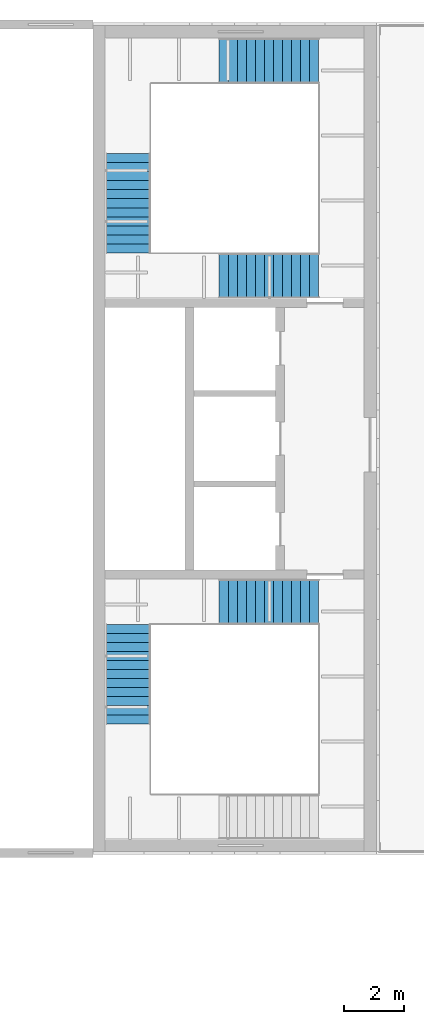
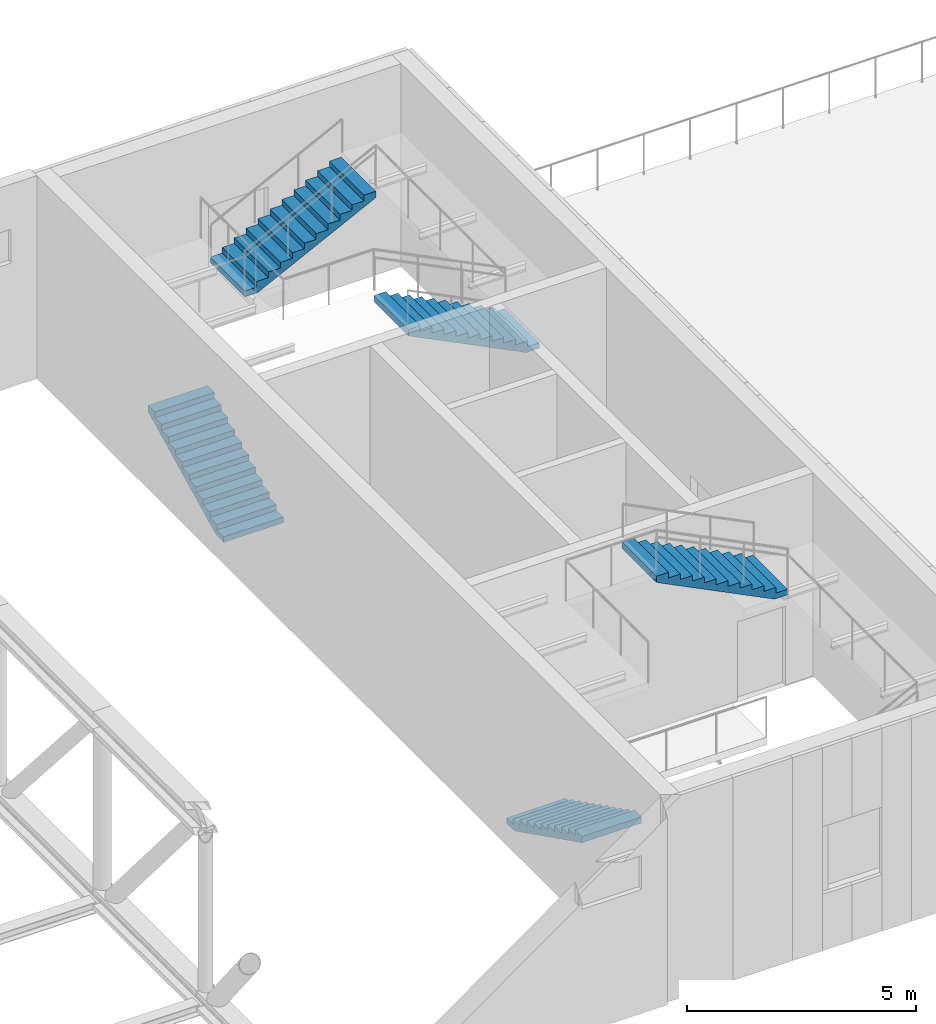
# One storey, part 23 of 29: 5 stair flights, 2 elements without a shape of their own.
"""IFC4 building model written with IfcOpenShell, lengths in metres."""

from ifc_helpers import new_model, si_unit, direction, frame, origin, place, context, subcontext, project, spatial, polyline, outline, extrude, material, type_object, element, aggregate, save


model = new_model("IFC4")

# Units and contexts
model_context = context("Model", 3, precision=1e-05, world=origin(), true_north=direction((0.0, 1.0)))
body_context = subcontext(model_context, "Body", "Model", "MODEL_VIEW")
ifc_project = project(units=[si_unit("LENGTHUNIT", "METRE"), si_unit("AREAUNIT", "SQUARE_METRE"), si_unit("VOLUMEUNIT", "CUBIC_METRE"), si_unit("PLANEANGLEUNIT", "RADIAN"), si_unit("MASSUNIT", "GRAM", prefix="KILO")], contexts=[model_context])

# Site, building, storey
site_placement = place(None, origin())
site = spatial("IfcSite", under=ifc_project, at=site_placement, CompositionType="ELEMENT")
building_placement = place(site_placement, origin())
building = spatial("IfcBuilding", under=site, at=building_placement, Name="Azimuth Sports and Learning Centre", CompositionType="ELEMENT")
storey_placement = place(building_placement, frame((0.0, 0.0, 27.0)))
storey = spatial("IfcBuildingStorey", under=building, at=storey_placement, Name="L05", CompositionType="ELEMENT", Elevation=27.0)

# Stair, stair flights
ifc_material_1 = material(Name="Concrete C32/40", Category="concrete")
stair_type = type_object("IfcStairType", Name="Square-well stair core 5400 storey", PredefinedType="THREE_QUARTER_TURN_STAIR", material=ifc_material_1)
stair_1_placement = place(storey_placement, origin())
stair_1 = element("IfcStair", 1, at=stair_1_placement, inside=storey, type_object=stair_type, Name="Stair E1 L05-L06", PredefinedType="THREE_QUARTER_TURN_STAIR")
ifc_material_2 = material(Name="Concrete C32/40", Category="concrete")
stair_flight_type = type_object("IfcStairFlightType", Name="Stair flight 12 risers", PredefinedType="STRAIGHT", material=ifc_material_2)
stair_flight_1_placement = place(storey_placement, frame((108.9599609375, 97.340087890625, 0.0), z_axis=(0.0, 0.0, 1.0), x_axis=(0.0, -1.0, 0.0)))
stair_flight_1 = element("IfcStairFlight", 2, at=stair_flight_1_placement, type_object=stair_flight_type, Name="Stair E1 L05 flight 1", NumberOfRisers=12, NumberOfTreads=11, PredefinedType="STRAIGHT", RiserHeight=0.15, TreadLength=0.3, context=body_context, shape_type="SweptSolid", body=[
    extrude(outline(polyline([(0.0, 0.0), (0.0, 0.14990234375), (0.300048828125, 0.14990234375), (0.300048828125, 0.300048828125), (0.60009765625, 0.300048828125), (0.60009765625, 0.449951171875), (0.89990234375, 0.449951171875), (0.89990234375, 0.60009765625), (1.199951171875, 0.60009765625), (1.199951171875, 0.75), (1.5, 0.75), (1.5, 0.89990234375), (1.800048828125, 0.89990234375), (1.800048828125, 1.050048828125), (2.10009765625, 1.050048828125), (2.10009765625, 1.199951171875), (2.39990234375, 1.199951171875), (2.39990234375, 1.35009765625), (2.699951171875, 1.35009765625), (2.699951171875, 1.5), (3.0, 1.5), (3.0, 1.64990234375), (3.300048828125, 1.64990234375), (3.300048828125, 1.800048828125), (3.300048828125, 1.482421875), (0.335205078125, 0.0), (0.0, 0.0)])), frame((0.0, 0.75, 0.0), z_axis=(0.0, -1.0, 0.0), x_axis=(1.0, 0.0, 0.0)), (0.0, 0.0, 1.0), 1.5),
])
stair_flight_2_placement = place(storey_placement, frame((115.2900390625, 98.090087890625, 3.60009765625), z_axis=(0.0, 0.0, 1.0), x_axis=(-1.0, 0.0, 0.0)))
stair_flight_2 = element("IfcStairFlight", 3, at=stair_flight_2_placement, type_object=stair_flight_type, Name="Stair E1 L05 flight 3", NumberOfRisers=12, NumberOfTreads=11, PredefinedType="STRAIGHT", RiserHeight=0.15, TreadLength=0.3, context=body_context, shape_type="SweptSolid", body=[
    extrude(outline(polyline([(0.0, 0.0), (0.0, 0.14990234375), (0.300048828125, 0.14990234375), (0.300048828125, 0.300048828125), (0.60009765625, 0.300048828125), (0.60009765625, 0.449951171875), (0.89990234375, 0.449951171875), (0.89990234375, 0.60009765625), (1.199951171875, 0.60009765625), (1.199951171875, 0.75), (1.5, 0.75), (1.5, 0.89990234375), (1.800048828125, 0.89990234375), (1.800048828125, 1.050048828125), (2.10009765625, 1.050048828125), (2.10009765625, 1.199951171875), (2.39990234375, 1.199951171875), (2.39990234375, 1.35009765625), (2.699951171875, 1.35009765625), (2.699951171875, 1.5), (3.0, 1.5), (3.0, 1.64990234375), (3.300048828125, 1.64990234375), (3.300048828125, 1.800048828125), (3.300048828125, 1.482421875), (0.335205078125, 0.0), (0.0, 0.0)])), frame((0.0, 0.75, 0.0), z_axis=(0.0, -1.0, 0.0), x_axis=(1.0, 0.0, 0.0)), (0.0, 0.0, 1.0), 1.5),
])
aggregate(stair_1, [stair_flight_1, stair_flight_2])

stair_2_placement = place(storey_placement, origin())
stair_2 = element("IfcStair", 4, at=stair_2_placement, inside=storey, type_object=stair_type, Name="Stair E2 L05-L06", PredefinedType="THREE_QUARTER_TURN_STAIR")
stair_flight_3_placement = place(storey_placement, frame((108.9599609375, 109.659912109375, 0.0), z_axis=(0.0, 0.0, 1.0), x_axis=(0.0, 1.0, 0.0)))
stair_flight_3 = element("IfcStairFlight", 5, at=stair_flight_3_placement, type_object=stair_flight_type, Name="Stair E2 L05 flight 1", NumberOfRisers=12, NumberOfTreads=11, PredefinedType="STRAIGHT", RiserHeight=0.15, TreadLength=0.3, context=body_context, shape_type="SweptSolid", body=[
    extrude(outline(polyline([(0.0, 0.0), (0.0, 0.14990234375), (0.300048828125, 0.14990234375), (0.300048828125, 0.300048828125), (0.60009765625, 0.300048828125), (0.60009765625, 0.449951171875), (0.89990234375, 0.449951171875), (0.89990234375, 0.60009765625), (1.199951171875, 0.60009765625), (1.199951171875, 0.75), (1.5, 0.75), (1.5, 0.89990234375), (1.800048828125, 0.89990234375), (1.800048828125, 1.050048828125), (2.10009765625, 1.050048828125), (2.10009765625, 1.199951171875), (2.39990234375, 1.199951171875), (2.39990234375, 1.35009765625), (2.699951171875, 1.35009765625), (2.699951171875, 1.5), (3.0, 1.5), (3.0, 1.64990234375), (3.300048828125, 1.64990234375), (3.300048828125, 1.800048828125), (3.300048828125, 1.482421875), (0.335205078125, 0.0), (0.0, 0.0)])), frame((0.0, 0.75, 0.0), z_axis=(0.0, -1.0, 0.0), x_axis=(1.0, 0.0, 0.0)), (0.0, 0.0, 1.0), 1.5),
])
stair_flight_4_placement = place(storey_placement, frame((111.989990234375, 116.0400390625, 1.800048828125), z_axis=(0.0, 0.0, 1.0), x_axis=(1.0, 0.0, 0.0)))
stair_flight_4 = element("IfcStairFlight", 6, at=stair_flight_4_placement, type_object=stair_flight_type, Name="Stair E2 L05 flight 2", NumberOfRisers=12, NumberOfTreads=11, PredefinedType="STRAIGHT", RiserHeight=0.15, TreadLength=0.3, context=body_context, shape_type="SweptSolid", body=[
    extrude(outline(polyline([(0.0, 0.0), (0.0, 0.14990234375), (0.300048828125, 0.14990234375), (0.300048828125, 0.300048828125), (0.60009765625, 0.300048828125), (0.60009765625, 0.449951171875), (0.89990234375, 0.449951171875), (0.89990234375, 0.60009765625), (1.199951171875, 0.60009765625), (1.199951171875, 0.75), (1.5, 0.75), (1.5, 0.89990234375), (1.800048828125, 0.89990234375), (1.800048828125, 1.050048828125), (2.10009765625, 1.050048828125), (2.10009765625, 1.199951171875), (2.39990234375, 1.199951171875), (2.39990234375, 1.35009765625), (2.699951171875, 1.35009765625), (2.699951171875, 1.5), (3.0, 1.5), (3.0, 1.64990234375), (3.300048828125, 1.64990234375), (3.300048828125, 1.800048828125), (3.300048828125, 1.482421875), (0.335205078125, 0.0), (0.0, 0.0)])), frame((0.0, 0.75, 0.0), z_axis=(0.0, -1.0, 0.0), x_axis=(1.0, 0.0, 0.0)), (0.0, 0.0, 1.0), 1.5),
])
stair_flight_5_placement = place(storey_placement, frame((115.2900390625, 108.909912109375, 3.60009765625), z_axis=(0.0, 0.0, 1.0), x_axis=(-1.0, 0.0, 0.0)))
stair_flight_5 = element("IfcStairFlight", 7, at=stair_flight_5_placement, type_object=stair_flight_type, Name="Stair E2 L05 flight 3", NumberOfRisers=12, NumberOfTreads=11, PredefinedType="STRAIGHT", RiserHeight=0.15, TreadLength=0.3, context=body_context, shape_type="SweptSolid", body=[
    extrude(outline(polyline([(0.0, 0.0), (0.0, 0.14990234375), (0.300048828125, 0.14990234375), (0.300048828125, 0.300048828125), (0.60009765625, 0.300048828125), (0.60009765625, 0.449951171875), (0.89990234375, 0.449951171875), (0.89990234375, 0.60009765625), (1.199951171875, 0.60009765625), (1.199951171875, 0.75), (1.5, 0.75), (1.5, 0.89990234375), (1.800048828125, 0.89990234375), (1.800048828125, 1.050048828125), (2.10009765625, 1.050048828125), (2.10009765625, 1.199951171875), (2.39990234375, 1.199951171875), (2.39990234375, 1.35009765625), (2.699951171875, 1.35009765625), (2.699951171875, 1.5), (3.0, 1.5), (3.0, 1.64990234375), (3.300048828125, 1.64990234375), (3.300048828125, 1.800048828125), (3.300048828125, 1.482421875), (0.335205078125, 0.0), (0.0, 0.0)])), frame((0.0, 0.75, 0.0), z_axis=(0.0, -1.0, 0.0), x_axis=(1.0, 0.0, 0.0)), (0.0, 0.0, 1.0), 1.5),
])
aggregate(stair_2, [stair_flight_3, stair_flight_4, stair_flight_5])

save(model, "model.ifc")
